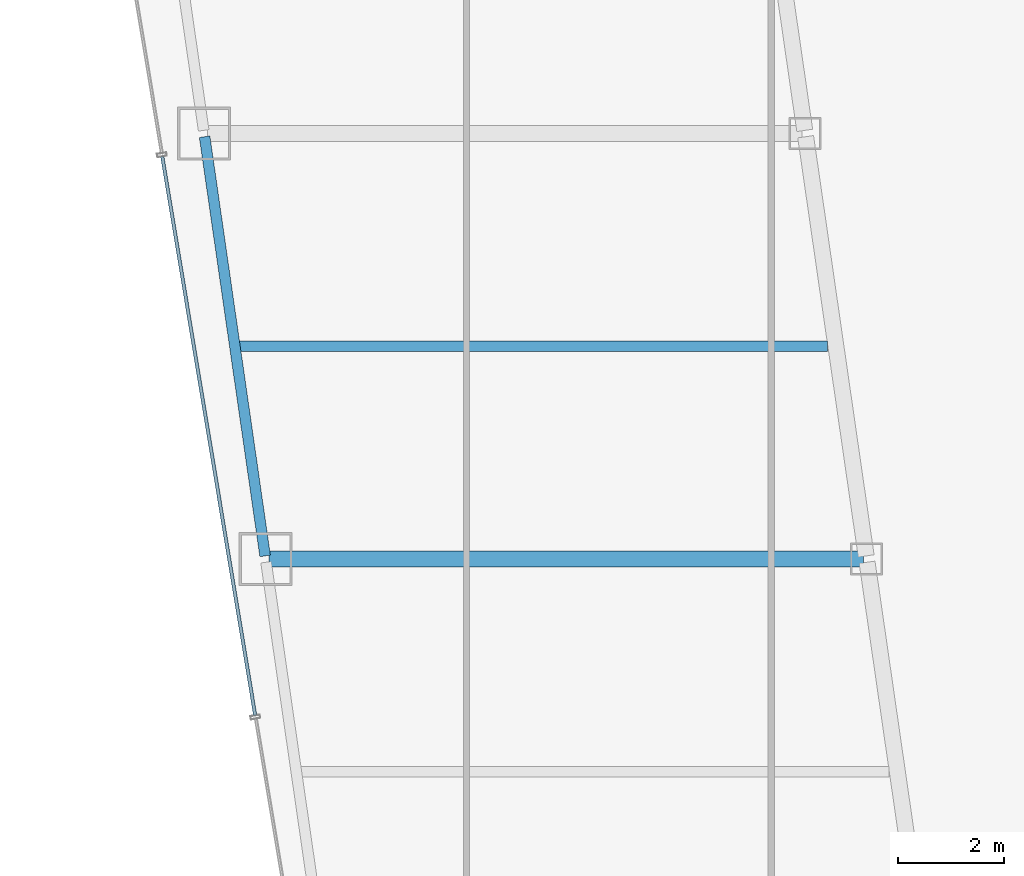
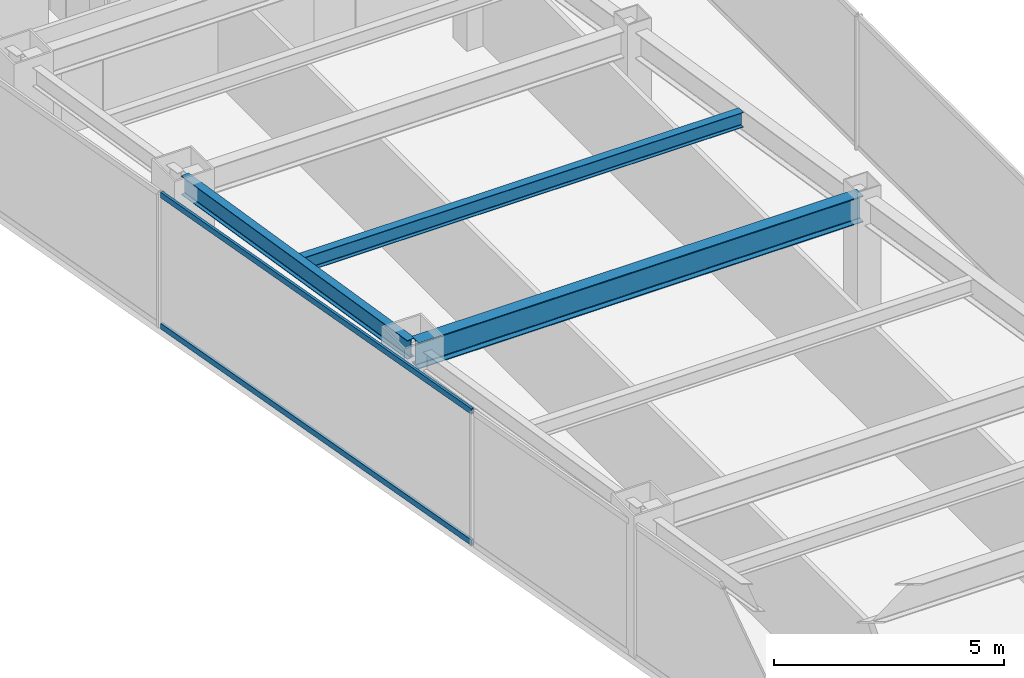
# One storey, part 8 of 38: 3 beams, 2 members, 1 element without a shape of its own.
"""IFC4 building model written with IfcOpenShell, lengths in metres."""

from ifc_helpers import new_model, si_unit, direction, frame, origin, origin_2d, place, context, subcontext, project, spatial, hollow_rectangle, i_section, extrude, material, material_profile, profile_set, type_object, element, aggregate, save


model = new_model("IFC4")

# Units and contexts
model_context = context("Model", 3, precision=1e-05, world=origin(), true_north=direction((0.0, 1.0)))
body_context = subcontext(model_context, "Body", "Model", "MODEL_VIEW")
ifc_project = project(units=[si_unit("LENGTHUNIT", "METRE"), si_unit("AREAUNIT", "SQUARE_METRE"), si_unit("VOLUMEUNIT", "CUBIC_METRE"), si_unit("PLANEANGLEUNIT", "RADIAN"), si_unit("MASSUNIT", "GRAM", prefix="KILO")], contexts=[model_context])

# Site, building, storey
site_placement = place(None, origin())
site = spatial("IfcSite", under=ifc_project, at=site_placement, CompositionType="ELEMENT")
building_placement = place(site_placement, origin())
building = spatial("IfcBuilding", under=site, at=building_placement, Name="Saevonmaru Cultural Tower", CompositionType="ELEMENT")
storey_placement = place(building_placement, frame((0.0, 0.0, 133.39990234375)))
storey = spatial("IfcBuildingStorey", under=building, at=storey_placement, Name="L28", CompositionType="ELEMENT", Elevation=133.39990234375)

# Beams
ifc_material_1 = material(Name="Steel SM355", Category="steel")
ifc_material_profile_1 = material_profile(ifc_material_1, i_section(OverallWidth=0.300048828125, OverallDepth=0.699951171875, WebThickness=0.012939453125, FlangeThickness=0.02392578125, FilletRadius=0.02587890625, at=origin_2d()), Name="H-700x300x13x24")
ifc_profile_set_1 = profile_set([ifc_material_profile_1], Name="Steel SM355")
beam_type_1 = type_object("IfcBeamType", Name="BM-G-H700", PredefinedType="BEAM", material=ifc_profile_set_1)
beam_1_placement = place(storey_placement, frame((9.531982421875, 24.0, 3.2001953125), z_axis=(1.0, 0.0, 0.0), x_axis=(0.0, 1.0, 0.0)))
element("IfcBeam", 1, at=beam_1_placement, inside=storey, type_object=beam_type_1, Name="L28 West Wing Transverse Girder 3", PredefinedType="BEAM", context=body_context, shape_type="SweptSolid", body=[
    extrude(i_section(OverallWidth=0.300048828125, OverallDepth=0.699951171875, WebThickness=0.012939453125, FlangeThickness=0.02392578125, FilletRadius=0.02587890625, at=origin_2d()), origin(), (0.0, 0.0, 1.0), 11.179931640625),
])
ifc_material_profile_2 = material_profile(ifc_material_1, i_section(OverallWidth=0.199951171875, OverallDepth=0.39990234375, WebThickness=0.008056640625, FlangeThickness=0.012939453125, FilletRadius=0.01611328125, at=origin_2d()), Name="H-400x200x8x13")
ifc_profile_set_2 = profile_set([ifc_material_profile_2], Name="Steel SM355")
beam_type_2 = type_object("IfcBeamType", Name="BM-J-H400", PredefinedType="JOIST", material=ifc_profile_set_2)
beam_2_placement = place(storey_placement, frame((8.95458984375, 28.0, 3.35009765625), z_axis=(1.0, 0.0, 0.0), x_axis=(0.0, 1.0, 0.0)))
element("IfcBeam", 2, at=beam_2_placement, inside=storey, type_object=beam_type_2, Name="L28 West Wing Floor Joist 3", PredefinedType="JOIST", context=body_context, shape_type="SweptSolid", body=[
    extrude(i_section(OverallWidth=0.199951171875, OverallDepth=0.39990234375, WebThickness=0.008056640625, FlangeThickness=0.012939453125, FilletRadius=0.01611328125, at=origin_2d()), origin(), (0.0, 0.0, 1.0), 11.08203125),
])
ifc_material_profile_3 = material_profile(ifc_material_1, i_section(OverallWidth=0.199951171875, OverallDepth=0.5, WebThickness=0.010009765625, FlangeThickness=0.01611328125, FilletRadius=0.02001953125, at=origin_2d()), Name="H-500x200x10x16")
ifc_profile_set_3 = profile_set([ifc_material_profile_3], Name="Steel SM355")
beam_type_3 = type_object("IfcBeamType", Name="BM-SP-H500", PredefinedType="SPANDREL", material=ifc_profile_set_3)
beam_3_placement = place(storey_placement, frame((9.46337890625, 24.059326171875, 3.300048828125), z_axis=(-0.142871999001, 0.989741174197, 0.0), x_axis=(-0.989741174197, -0.142871999001, 0.0)))
element("IfcBeam", 3, at=beam_3_placement, inside=storey, type_object=beam_type_3, Name="L28 West Splayed Spandrel 3", PredefinedType="SPANDREL", context=body_context, shape_type="SweptSolid", body=[
    extrude(i_section(OverallWidth=0.199951171875, OverallDepth=0.5, WebThickness=0.010009765625, FlangeThickness=0.01611328125, FilletRadius=0.02001953125, at=origin_2d()), origin(), (0.0, 0.0, 1.0), 7.963134765625),
])

# Curtain wall, members
ifc_material_2 = material(Name="Satin Bronze Anodised Aluminium", Category="aluminium")
curtain_wall_type = type_object("IfcCurtainWallType", Name="CW-TYP-A", PredefinedType="NOTDEFINED", material=ifc_material_2)
curtain_wall_placement = place(storey_placement, origin())
curtain_wall = element("IfcCurtainWall", 4, at=curtain_wall_placement, inside=storey, type_object=curtain_wall_type, Name="L28 Unitised Curtain Wall E12", PredefinedType="NOTDEFINED")
ifc_material_profile_4 = material_profile(ifc_material_2, hollow_rectangle(XDim=0.06494140625, YDim=0.14990234375, WallThickness=0.00390625, at=origin_2d()), Name="ALU-TRAN-150x65x4")
ifc_profile_set_4 = profile_set([ifc_material_profile_4], Name="Satin Bronze Anodised Aluminium")
member_type = type_object("IfcMemberType", Name="TR-CW-150x65", PredefinedType="USERDEFINED", material=ifc_profile_set_4)
member_1_placement = place(storey_placement, frame((7.52978515625, 31.56787109375, 0.03271484375), z_axis=(0.163993787386, -0.98646137162, 0.0), x_axis=(0.98646137162, 0.163993787386, 0.0)))
member_1 = element("IfcMember", 5, at=member_1_placement, type_object=member_type, Name="CW-TW-L28-E12 transom 3.1", ObjectType="TRANSOM", PredefinedType="USERDEFINED", context=body_context, shape_type="SweptSolid", body=[
    extrude(hollow_rectangle(XDim=0.06494140625, YDim=0.14990234375, WallThickness=0.00390625, at=origin_2d()), origin(), (0.0, 0.0, 1.0), 10.650390625),
])
member_2_placement = place(storey_placement, frame((7.52978515625, 31.56787109375, 3.517578125), z_axis=(0.163993787386, -0.98646137162, 0.0), x_axis=(0.98646137162, 0.163993787386, 0.0)))
member_2 = element("IfcMember", 6, at=member_2_placement, type_object=member_type, Name="CW-TW-L28-E12 transom 3.2", ObjectType="TRANSOM", PredefinedType="USERDEFINED", context=body_context, shape_type="SweptSolid", body=[
    extrude(hollow_rectangle(XDim=0.06494140625, YDim=0.14990234375, WallThickness=0.00390625, at=origin_2d()), origin(), (0.0, 0.0, 1.0), 10.650390625),
])
aggregate(curtain_wall, [member_1, member_2])

save(model, "model.ifc")
